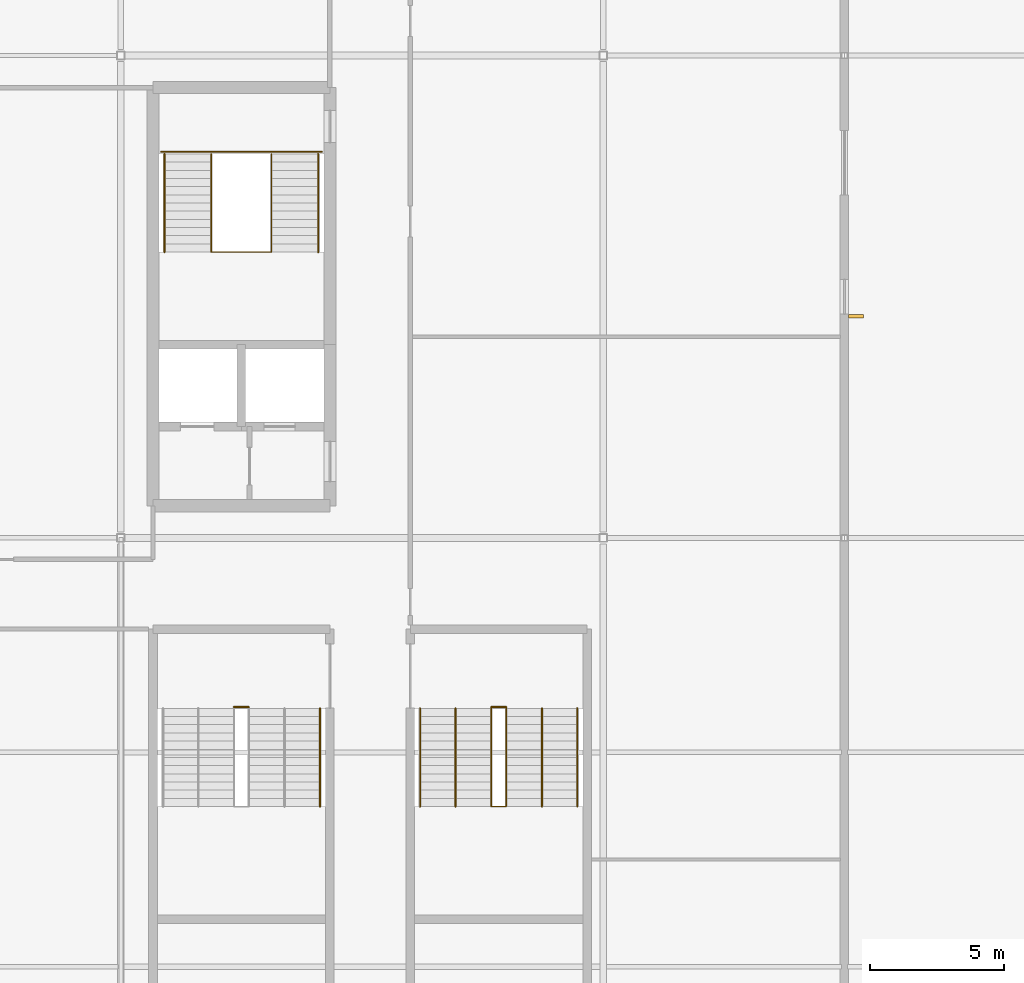
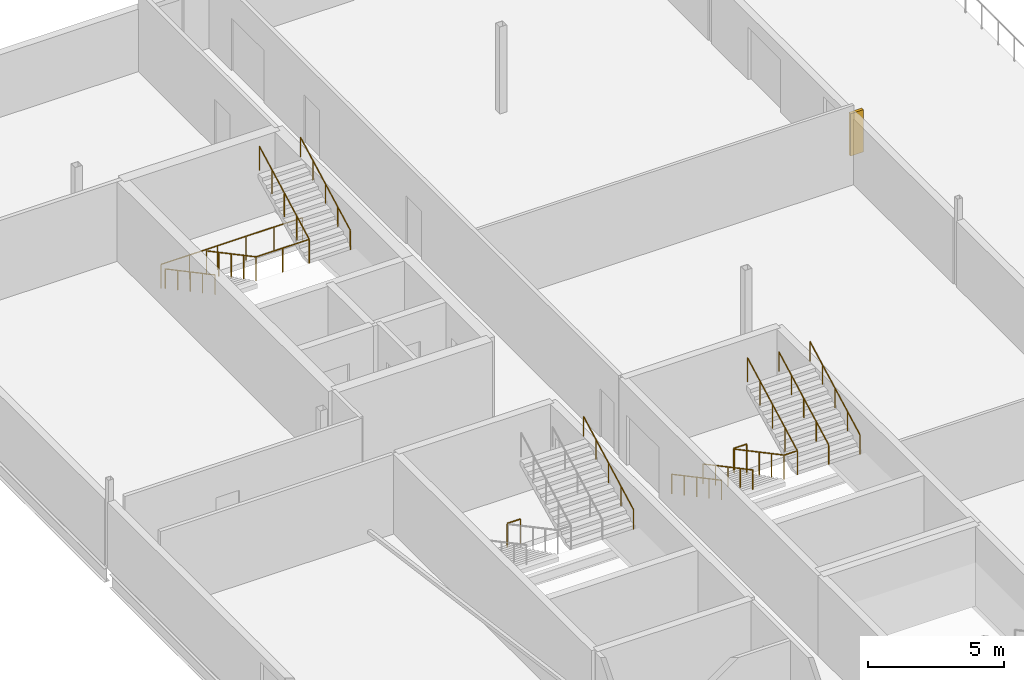
# One storey, part 50 of 55: 12 railings, 1 shading device.
"""IFC4 building model written with IfcOpenShell, lengths in metres."""

from ifc_helpers import new_model, si_unit, direction, frame, origin, origin_2d, place, context, subcontext, project, spatial, rectangle, circle, extrude, material, type_object, element, save


model = new_model("IFC4")

# Units and contexts
model_context = context("Model", 3, precision=1e-05, world=origin(), true_north=direction((0.0, 1.0)))
body_context = subcontext(model_context, "Body", "Model", "MODEL_VIEW")
ifc_project = project(units=[si_unit("LENGTHUNIT", "METRE"), si_unit("AREAUNIT", "SQUARE_METRE"), si_unit("VOLUMEUNIT", "CUBIC_METRE"), si_unit("PLANEANGLEUNIT", "RADIAN"), si_unit("MASSUNIT", "GRAM", prefix="KILO")], contexts=[model_context])

# Site, building, storey
site_placement = place(None, origin())
site = spatial("IfcSite", under=ifc_project, at=site_placement, CompositionType="ELEMENT")
building_placement = place(site_placement, origin())
building = spatial("IfcBuilding", under=site, at=building_placement, Name="Kisiwana Market Hall", CompositionType="ELEMENT")
storey_placement = place(building_placement, frame((0.0, 0.0, 37.800048828125)))
storey = spatial("IfcBuildingStorey", under=building, at=storey_placement, Name="L08", CompositionType="ELEMENT", Elevation=37.800048828125)

# Railings
ifc_material_1 = material(Name="Steel S275", Category="steel")
railing_type_1 = type_object("IfcRailingType", Name="RL-GUARD-1100", PredefinedType="GUARDRAIL", material=ifc_material_1)
railing_1_placement = place(storey_placement, frame((12.375, 98.325439453125, 0.0)))
element("IfcRailing", 1, at=railing_1_placement, inside=storey, type_object=railing_type_1, Name="Stair ST-W1-L08 inner-well guardrail (RL-1135)", PredefinedType="GUARDRAIL", context=body_context, shape_type="SweptSolid", body=[
    extrude(circle(Radius=0.02392578125, at=origin_2d()), frame((0.0, 0.0, 1.076171875), z_axis=(0.0, -0.88255331184, 0.47021234752), x_axis=(1.0, 0.0, 0.0)), (0.0, 0.0, 1.0), 4.14697265625),
    extrude(circle(Radius=0.02392578125, at=origin_2d()), frame((0.0, -3.659912109375, 3.02587890625), z_axis=(1.0, 0.0, 0.0), x_axis=(0.0, 1.0, 0.0)), (0.0, 0.0, 1.0), 2.25),
    extrude(circle(Radius=0.02392578125, at=origin_2d()), frame((2.25, -3.659912109375, 3.02587890625), z_axis=(0.0, 0.88255331184, 0.47021234752), x_axis=(-1.0, 0.0, 0.0)), (0.0, 0.0, 1.0), 4.14697265625),
    extrude(circle(Radius=0.02099609375, at=origin_2d()), origin(), (0.0, 0.0, 1.0), 1.052001953125),
    extrude(circle(Radius=0.02099609375, at=origin_2d()), frame((0.0, -0.9150390625, 0.487548828125)), (0.0, 0.0, 1.0), 1.052001953125),
    extrude(circle(Radius=0.02099609375, at=origin_2d()), frame((0.0, -1.830078125, 0.97509765625)), (0.0, 0.0, 1.0), 1.052001953125),
    extrude(circle(Radius=0.02099609375, at=origin_2d()), frame((0.0, -2.744873046875, 1.46240234375)), (0.0, 0.0, 1.0), 1.052001953125),
    extrude(circle(Radius=0.02099609375, at=origin_2d()), frame((0.0, -3.659912109375, 1.949951171875)), (0.0, 0.0, 1.0), 1.052001953125),
    extrude(circle(Radius=0.02099609375, at=origin_2d()), frame((1.125, -3.659912109375, 1.949951171875)), (0.0, 0.0, 1.0), 1.052001953125),
    extrude(circle(Radius=0.02099609375, at=origin_2d()), frame((2.25, -3.659912109375, 1.949951171875)), (0.0, 0.0, 1.0), 1.052001953125),
    extrude(circle(Radius=0.02099609375, at=origin_2d()), frame((2.25, -2.744873046875, 2.4375)), (0.0, 0.0, 1.0), 1.052001953125),
    extrude(circle(Radius=0.02099609375, at=origin_2d()), frame((2.25, -1.830078125, 2.9248046875)), (0.0, 0.0, 1.0), 1.052001953125),
    extrude(circle(Radius=0.02099609375, at=origin_2d()), frame((2.25, -0.9150390625, 3.412353515625)), (0.0, 0.0, 1.0), 1.052001953125),
    extrude(circle(Radius=0.02099609375, at=origin_2d()), frame((2.25, 0.0, 3.89990234375)), (0.0, 0.0, 1.0), 1.052001953125),
])
railing_2_placement = place(storey_placement, frame((10.5048828125, 98.405517578125, 0.0)))
element("IfcRailing", 2, at=railing_2_placement, inside=storey, type_object=railing_type_1, Name="Stair ST-W1-L08 landing edge guardrail (RL-1138)", PredefinedType="GUARDRAIL", context=body_context, shape_type="SweptSolid", body=[
    extrude(circle(Radius=0.02392578125, at=origin_2d()), frame((0.0, 0.0, 1.076171875), z_axis=(1.0, 0.0, 0.0), x_axis=(0.0, 1.0, 0.0)), (0.0, 0.0, 1.0), 5.990234375),
    extrude(circle(Radius=0.02099609375, at=origin_2d()), origin(), (0.0, 0.0, 1.0), 1.052001953125),
    extrude(circle(Radius=0.02099609375, at=origin_2d()), frame((1.197998046875, 0.0, 0.0)), (0.0, 0.0, 1.0), 1.052001953125),
    extrude(circle(Radius=0.02099609375, at=origin_2d()), frame((2.39599609375, 0.0, 0.0)), (0.0, 0.0, 1.0), 1.052001953125),
    extrude(circle(Radius=0.02099609375, at=origin_2d()), frame((3.59423828125, 0.0, 0.0)), (0.0, 0.0, 1.0), 1.052001953125),
    extrude(circle(Radius=0.02099609375, at=origin_2d()), frame((4.792236328125, 0.0, 0.0)), (0.0, 0.0, 1.0), 1.052001953125),
    extrude(circle(Radius=0.02099609375, at=origin_2d()), frame((5.990234375, 0.0, 0.0)), (0.0, 0.0, 1.0), 1.052001953125),
])
railing_3_placement = place(storey_placement, frame((13.219970703125, 77.68994140625, 0.0)))
element("IfcRailing", 3, at=railing_3_placement, inside=storey, type_object=railing_type_1, Name="Stair ST-W4-L08 landing edge guardrail (RL-1158)", PredefinedType="GUARDRAIL", context=body_context, shape_type="SweptSolid", body=[
    extrude(circle(Radius=0.02392578125, at=origin_2d()), frame((0.0, 0.0, 1.076171875), z_axis=(1.0, 0.0, 0.0), x_axis=(0.0, 1.0, 0.0)), (0.0, 0.0, 1.0), 0.56005859375),
    extrude(circle(Radius=0.02099609375, at=origin_2d()), origin(), (0.0, 0.0, 1.0), 1.052001953125),
    extrude(circle(Radius=0.02099609375, at=origin_2d()), frame((0.56005859375, 0.0, 0.0)), (0.0, 0.0, 1.0), 1.052001953125),
])
railing_4_placement = place(storey_placement, frame((22.820068359375, 77.639892578125, 0.0)))
element("IfcRailing", 4, at=railing_4_placement, inside=storey, type_object=railing_type_1, Name="Stair ST-W8-L08 inner-well guardrail (RL-1183)", PredefinedType="GUARDRAIL", context=body_context, shape_type="SweptSolid", body=[
    extrude(circle(Radius=0.02392578125, at=origin_2d()), frame((0.0, 0.0, 1.076171875), z_axis=(0.0, -0.88255331184, 0.47021234752), x_axis=(1.0, 0.0, 0.0)), (0.0, 0.0, 1.0), 4.14697265625),
    extrude(circle(Radius=0.02392578125, at=origin_2d()), frame((0.0, -3.659912109375, 3.02587890625), z_axis=(1.0, 0.0, 0.0), x_axis=(0.0, 1.0, 0.0)), (0.0, 0.0, 1.0), 0.559814453125),
    extrude(circle(Radius=0.02392578125, at=origin_2d()), frame((0.559814453125, -3.659912109375, 3.02587890625), z_axis=(0.0, 0.88255331184, 0.47021234752), x_axis=(-1.0, 0.0, 0.0)), (0.0, 0.0, 1.0), 4.14697265625),
    extrude(circle(Radius=0.02099609375, at=origin_2d()), origin(), (0.0, 0.0, 1.0), 1.052001953125),
    extrude(circle(Radius=0.02099609375, at=origin_2d()), frame((0.0, -0.9150390625, 0.487548828125)), (0.0, 0.0, 1.0), 1.052001953125),
    extrude(circle(Radius=0.02099609375, at=origin_2d()), frame((0.0, -1.830078125, 0.97509765625)), (0.0, 0.0, 1.0), 1.052001953125),
    extrude(circle(Radius=0.02099609375, at=origin_2d()), frame((0.0, -2.744873046875, 1.46240234375)), (0.0, 0.0, 1.0), 1.052001953125),
    extrude(circle(Radius=0.02099609375, at=origin_2d()), frame((0.0, -3.659912109375, 1.949951171875)), (0.0, 0.0, 1.0), 1.052001953125),
    extrude(circle(Radius=0.02099609375, at=origin_2d()), frame((0.559814453125, -3.659912109375, 1.949951171875)), (0.0, 0.0, 1.0), 1.052001953125),
    extrude(circle(Radius=0.02099609375, at=origin_2d()), frame((0.559814453125, -2.744873046875, 2.4375)), (0.0, 0.0, 1.0), 1.052001953125),
    extrude(circle(Radius=0.02099609375, at=origin_2d()), frame((0.559814453125, -1.830078125, 2.9248046875)), (0.0, 0.0, 1.0), 1.052001953125),
    extrude(circle(Radius=0.02099609375, at=origin_2d()), frame((0.559814453125, -0.9150390625, 3.412353515625)), (0.0, 0.0, 1.0), 1.052001953125),
    extrude(circle(Radius=0.02099609375, at=origin_2d()), frame((0.559814453125, 0.0, 3.89990234375)), (0.0, 0.0, 1.0), 1.052001953125),
])
railing_5_placement = place(storey_placement, frame((22.820068359375, 77.68994140625, 0.0)))
element("IfcRailing", 5, at=railing_5_placement, inside=storey, type_object=railing_type_1, Name="Stair ST-W8-L08 landing edge guardrail (RL-1188)", PredefinedType="GUARDRAIL", context=body_context, shape_type="SweptSolid", body=[
    extrude(circle(Radius=0.02392578125, at=origin_2d()), frame((0.0, 0.0, 1.076171875), z_axis=(1.0, 0.0, 0.0), x_axis=(0.0, 1.0, 0.0)), (0.0, 0.0, 1.0), 0.559814453125),
    extrude(circle(Radius=0.02099609375, at=origin_2d()), origin(), (0.0, 0.0, 1.0), 1.052001953125),
    extrude(circle(Radius=0.02099609375, at=origin_2d()), frame((0.559814453125, 0.0, 0.0)), (0.0, 0.0, 1.0), 1.052001953125),
])
ifc_material_2 = material(Name="Steel S275", Category="steel")
railing_type_2 = type_object("IfcRailingType", Name="RL-HAND-900", PredefinedType="HANDRAIL", material=ifc_material_2)
railing_6_placement = place(storey_placement, frame((10.635009765625, 98.325439453125, 0.0)))
element("IfcRailing", 6, at=railing_6_placement, inside=storey, type_object=railing_type_2, Name="Stair ST-W1-L08 flight 1 handrail (RL-1136)", PredefinedType="HANDRAIL", context=body_context, shape_type="SweptSolid", body=[
    extrude(circle(Radius=0.02392578125, at=origin_2d()), frame((0.0, 0.0, 0.8759765625), z_axis=(0.0, -0.88255331184, 0.47021234752), x_axis=(1.0, 0.0, 0.0)), (0.0, 0.0, 1.0), 4.14697265625),
    extrude(circle(Radius=0.02099609375, at=origin_2d()), origin(), (0.0, 0.0, 1.0), 0.851806640625),
    extrude(circle(Radius=0.02099609375, at=origin_2d()), frame((0.0, -0.9150390625, 0.487548828125)), (0.0, 0.0, 1.0), 0.851806640625),
    extrude(circle(Radius=0.02099609375, at=origin_2d()), frame((0.0, -1.830078125, 0.97509765625)), (0.0, 0.0, 1.0), 0.851806640625),
    extrude(circle(Radius=0.02099609375, at=origin_2d()), frame((0.0, -2.744873046875, 1.46240234375)), (0.0, 0.0, 1.0), 0.851806640625),
    extrude(circle(Radius=0.02099609375, at=origin_2d()), frame((0.0, -3.659912109375, 1.949951171875)), (0.0, 0.0, 1.0), 0.851806640625),
])
for number, where, name in (
    (7, (16.364990234375, 94.66552734375, 1.949951171875), "Stair ST-W1-L08 flight 2 handrail (RL-1137)"),
    (8, (16.429931640625, 73.97998046875, 1.949951171875), "Stair ST-W4-L08 flight 2 handrail (RL-1155)"),
):
    element("IfcRailing", number, at=place(storey_placement, frame(where)), inside=storey, type_object=railing_type_2, Name=name, PredefinedType="HANDRAIL", context=body_context, shape_type="SweptSolid", body=[
        extrude(circle(Radius=0.02392578125, at=origin_2d()), frame((0.0, 0.0, 0.8759765625), z_axis=(0.0, 0.88255331184, 0.47021234752), x_axis=(-1.0, 0.0, 0.0)), (0.0, 0.0, 1.0), 4.14697265625),
        extrude(circle(Radius=0.02099609375, at=origin_2d()), origin(), (0.0, 0.0, 1.0), 0.851806640625),
        extrude(circle(Radius=0.02099609375, at=origin_2d()), frame((0.0, 0.9150390625, 0.487548828125)), (0.0, 0.0, 1.0), 0.851806640625),
        extrude(circle(Radius=0.02099609375, at=origin_2d()), frame((0.0, 1.830078125, 0.97509765625)), (0.0, 0.0, 1.0), 0.851806640625),
        extrude(circle(Radius=0.02099609375, at=origin_2d()), frame((0.0, 2.744873046875, 1.46240234375)), (0.0, 0.0, 1.0), 0.851806640625),
        extrude(circle(Radius=0.02099609375, at=origin_2d()), frame((0.0, 3.659912109375, 1.949951171875)), (0.0, 0.0, 1.0), 0.851806640625),
    ])
railing_7_placement = place(storey_placement, frame((20.169921875, 77.639892578125, 0.0)))
element("IfcRailing", 9, at=railing_7_placement, inside=storey, type_object=railing_type_2, Name="Stair ST-W8-L08 flight 1 handrail (RL-1184)", PredefinedType="HANDRAIL", context=body_context, shape_type="SweptSolid", body=[
    extrude(circle(Radius=0.02392578125, at=origin_2d()), frame((0.0, 0.0, 0.8759765625), z_axis=(0.0, -0.88255331184, 0.47021234752), x_axis=(1.0, 0.0, 0.0)), (0.0, 0.0, 1.0), 4.14697265625),
    extrude(circle(Radius=0.02099609375, at=origin_2d()), origin(), (0.0, 0.0, 1.0), 0.851806640625),
    extrude(circle(Radius=0.02099609375, at=origin_2d()), frame((0.0, -0.9150390625, 0.487548828125)), (0.0, 0.0, 1.0), 0.851806640625),
    extrude(circle(Radius=0.02099609375, at=origin_2d()), frame((0.0, -1.830078125, 0.97509765625)), (0.0, 0.0, 1.0), 0.851806640625),
    extrude(circle(Radius=0.02099609375, at=origin_2d()), frame((0.0, -2.744873046875, 1.46240234375)), (0.0, 0.0, 1.0), 0.851806640625),
    extrude(circle(Radius=0.02099609375, at=origin_2d()), frame((0.0, -3.659912109375, 1.949951171875)), (0.0, 0.0, 1.0), 0.851806640625),
])
railing_8_placement = place(storey_placement, frame((26.030029296875, 73.97998046875, 1.949951171875)))
element("IfcRailing", 10, at=railing_8_placement, inside=storey, type_object=railing_type_2, Name="Stair ST-W8-L08 flight 2 handrail (RL-1185)", PredefinedType="HANDRAIL", context=body_context, shape_type="SweptSolid", body=[
    extrude(circle(Radius=0.02392578125, at=origin_2d()), frame((0.0, 0.0, 0.8759765625), z_axis=(0.0, 0.88255331184, 0.47021234752), x_axis=(-1.0, 0.0, 0.0)), (0.0, 0.0, 1.0), 4.14697265625),
    extrude(circle(Radius=0.02099609375, at=origin_2d()), origin(), (0.0, 0.0, 1.0), 0.851806640625),
    extrude(circle(Radius=0.02099609375, at=origin_2d()), frame((0.0, 0.9150390625, 0.487548828125)), (0.0, 0.0, 1.0), 0.851806640625),
    extrude(circle(Radius=0.02099609375, at=origin_2d()), frame((0.0, 1.830078125, 0.97509765625)), (0.0, 0.0, 1.0), 0.851806640625),
    extrude(circle(Radius=0.02099609375, at=origin_2d()), frame((0.0, 2.744873046875, 1.46240234375)), (0.0, 0.0, 1.0), 0.851806640625),
    extrude(circle(Radius=0.02099609375, at=origin_2d()), frame((0.0, 3.659912109375, 1.949951171875)), (0.0, 0.0, 1.0), 0.851806640625),
])
railing_9_placement = place(storey_placement, frame((21.489990234375, 77.639892578125, 0.0)))
element("IfcRailing", 11, at=railing_9_placement, inside=storey, type_object=railing_type_2, Name="Stair ST-W8-L08 flight 1 intermediate handrail (RL-1186)", PredefinedType="HANDRAIL", context=body_context, shape_type="SweptSolid", body=[
    extrude(circle(Radius=0.02392578125, at=origin_2d()), frame((0.0, 0.0, 0.8759765625), z_axis=(0.0, -0.88255331184, 0.47021234752), x_axis=(1.0, 0.0, 0.0)), (0.0, 0.0, 1.0), 4.14697265625),
    extrude(circle(Radius=0.02099609375, at=origin_2d()), origin(), (0.0, 0.0, 1.0), 0.851806640625),
    extrude(circle(Radius=0.02099609375, at=origin_2d()), frame((0.0, -0.9150390625, 0.487548828125)), (0.0, 0.0, 1.0), 0.851806640625),
    extrude(circle(Radius=0.02099609375, at=origin_2d()), frame((0.0, -1.830078125, 0.97509765625)), (0.0, 0.0, 1.0), 0.851806640625),
    extrude(circle(Radius=0.02099609375, at=origin_2d()), frame((0.0, -2.744873046875, 1.46240234375)), (0.0, 0.0, 1.0), 0.851806640625),
    extrude(circle(Radius=0.02099609375, at=origin_2d()), frame((0.0, -3.659912109375, 1.949951171875)), (0.0, 0.0, 1.0), 0.851806640625),
])
railing_10_placement = place(storey_placement, frame((24.7099609375, 73.97998046875, 1.949951171875)))
element("IfcRailing", 12, at=railing_10_placement, inside=storey, type_object=railing_type_2, Name="Stair ST-W8-L08 flight 2 intermediate handrail (RL-1187)", PredefinedType="HANDRAIL", context=body_context, shape_type="SweptSolid", body=[
    extrude(circle(Radius=0.02392578125, at=origin_2d()), frame((0.0, 0.0, 0.8759765625), z_axis=(0.0, 0.88255331184, 0.47021234752), x_axis=(-1.0, 0.0, 0.0)), (0.0, 0.0, 1.0), 4.14697265625),
    extrude(circle(Radius=0.02099609375, at=origin_2d()), origin(), (0.0, 0.0, 1.0), 0.851806640625),
    extrude(circle(Radius=0.02099609375, at=origin_2d()), frame((0.0, 0.9150390625, 0.487548828125)), (0.0, 0.0, 1.0), 0.851806640625),
    extrude(circle(Radius=0.02099609375, at=origin_2d()), frame((0.0, 1.830078125, 0.97509765625)), (0.0, 0.0, 1.0), 0.851806640625),
    extrude(circle(Radius=0.02099609375, at=origin_2d()), frame((0.0, 2.744873046875, 1.46240234375)), (0.0, 0.0, 1.0), 0.851806640625),
    extrude(circle(Radius=0.02099609375, at=origin_2d()), frame((0.0, 3.659912109375, 1.949951171875)), (0.0, 0.0, 1.0), 0.851806640625),
])

# Shading device
ifc_material_3 = material(Name="Aluminium alloy 6063-T6", Category="aluminium")
shading_device_type = type_object("IfcShadingDeviceType", Name="SHD-SHUTTER-V", PredefinedType="SHUTTER", material=ifc_material_3)
shading_device_placement = place(storey_placement, frame((36.4326171875, 92.27001953125, 0.699951171875), z_axis=(0.0, 0.0, 1.0), x_axis=(0.0, 1.0, 0.0)))
element("IfcShadingDevice", 13, at=shading_device_placement, inside=storey, type_object=shading_device_type, Name="Vertical solar fin SHD-184 SD-183", PredefinedType="SHUTTER", context=body_context, shape_type="SweptSolid", body=[
    extrude(rectangle(XDim=0.1201171875, YDim=0.550048828125, at=origin_2d()), origin(), (0.0, 0.0, 1.0), 1.89990234375),
])

save(model, "model.ifc")
